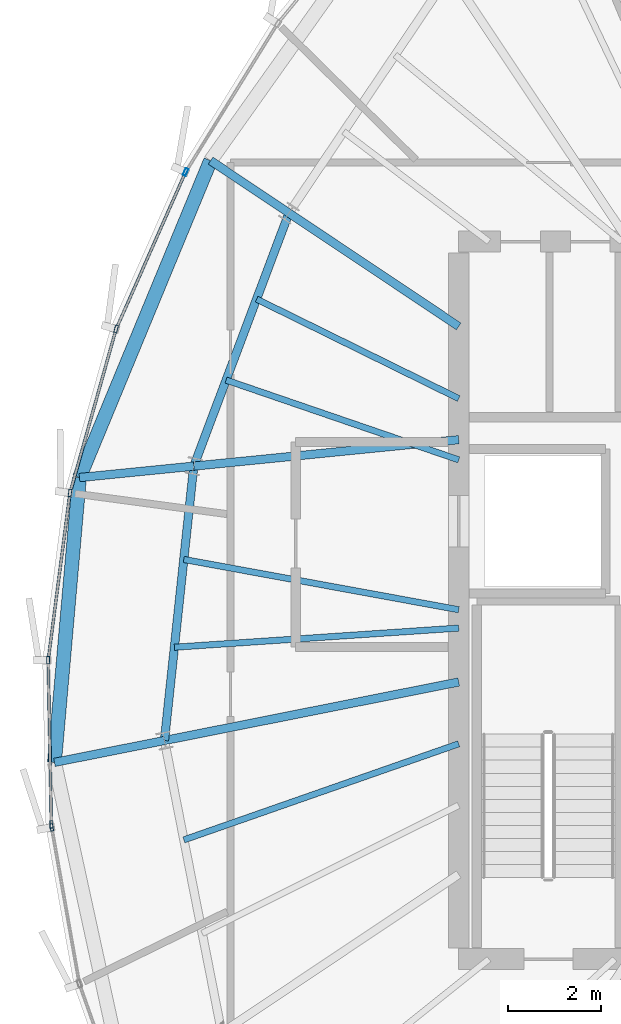
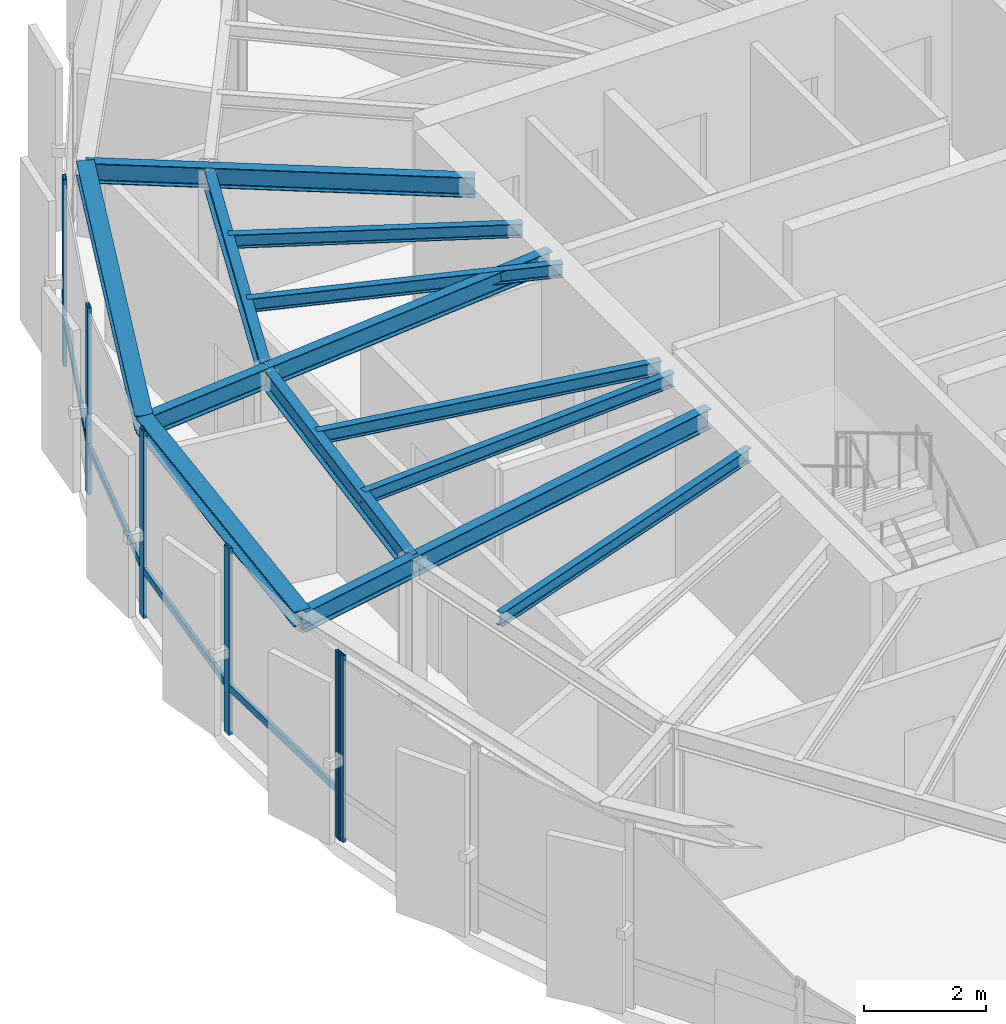
# One storey, part 10 of 26: 15 beams, 10 members, 2 elements without a shape of their own.
"""IFC4 building model written with IfcOpenShell, lengths in metres."""

from ifc_helpers import new_model, si_unit, direction, frame, origin, origin_2d, place, context, subcontext, project, spatial, hollow_rectangle, i_section, extrude, source, transform, mapped, material, layer, layer_set, material_profile, profile_set, type_object, element, aggregate, save


model = new_model("IFC4")

# Units and contexts
model_context = context("Model", 3, precision=1e-05, world=origin(), true_north=direction((0.0, 1.0)))
body_context = subcontext(model_context, "Body", "Model", "MODEL_VIEW")
ifc_project = project(units=[si_unit("LENGTHUNIT", "METRE"), si_unit("AREAUNIT", "SQUARE_METRE"), si_unit("VOLUMEUNIT", "CUBIC_METRE"), si_unit("PLANEANGLEUNIT", "RADIAN"), si_unit("MASSUNIT", "GRAM", prefix="KILO"), si_unit("THERMODYNAMICTEMPERATUREUNIT", "KELVIN")], contexts=[model_context])

# Site, building, storey
site_placement = place(None, origin())
site = spatial("IfcSite", under=ifc_project, at=site_placement, CompositionType="ELEMENT")
building_placement = place(site_placement, origin())
building = spatial("IfcBuilding", under=site, at=building_placement, Name="Kethvar Cultural Tower", CompositionType="ELEMENT")
storey_placement = place(building_placement, frame((0.0, 0.0, 316.300048828125)))
storey = spatial("IfcBuildingStorey", under=building, at=storey_placement, Name="L84", CompositionType="ELEMENT", Elevation=316.300048828125)

# Beams
ifc_material_1 = material(Name="Steel S355J2", Category="steel")
ifc_material_profile_1 = material_profile(ifc_material_1, i_section(OverallWidth=0.135009765625, OverallDepth=0.27001953125, WebThickness=0.006591796875, FlangeThickness=0.01025390625, FilletRadius=0.014892578125, at=origin_2d()), Name="Steel S355J2 — IPE270")
ifc_profile_set_1 = profile_set([ifc_material_profile_1], Name="Steel S355J2 — IPE270")
beam_type_1 = type_object("IfcBeamType", Name="BM-J270", PredefinedType="JOIST", material=ifc_profile_set_1)
shared_shape_1 = source(origin(), body_context, "Body", "SweptSolid", [
    extrude(i_section(OverallWidth=0.135009765625, OverallDepth=0.27001953125, WebThickness=0.006591796875, FlangeThickness=0.01025390625, FilletRadius=0.014892578125, at=origin_2d()), origin(), (0.0, 0.0, 1.0), 4.8359375),
])
beam_1_placement = place(storey_placement, frame((38.0, 32.1318359375, 3.597900390625), z_axis=(-0.897196527088, 0.441631511308, 0.0), x_axis=(-0.441631511308, -0.897196527088, 0.0)))
element("IfcBeam", 1, at=beam_1_placement, inside=storey, type_object=beam_type_1, Name="L84 Composite Floor Joist J-07A", PredefinedType="JOIST", context=body_context, shape_type="MappedRepresentation", body=[
    mapped(shared_shape_1, transform((0.0, 0.0, 0.0), scale=1.0)),
])
shared_shape_2 = source(origin(), body_context, "Body", "SweptSolid", [
    extrude(i_section(OverallWidth=0.135009765625, OverallDepth=0.27001953125, WebThickness=0.006591796875, FlangeThickness=0.01025390625, FilletRadius=0.014892578125, at=origin_2d()), origin(), (0.0, 0.0, 1.0), 5.2783203125),
])
beam_2_placement = place(storey_placement, frame((38.0, 30.817138671875, 3.597900390625), z_axis=(-0.945942702368, 0.324333784607, 0.0), x_axis=(-0.324333784607, -0.945942702368, 0.0)))
element("IfcBeam", 2, at=beam_2_placement, inside=storey, type_object=beam_type_1, Name="L84 Composite Floor Joist J-07B", PredefinedType="JOIST", context=body_context, shape_type="MappedRepresentation", body=[
    mapped(shared_shape_2, transform((0.0, 0.0, 0.0), scale=1.0)),
])
shared_shape_3 = source(origin(), body_context, "Body", "SweptSolid", [
    extrude(i_section(OverallWidth=0.135009765625, OverallDepth=0.27001953125, WebThickness=0.006591796875, FlangeThickness=0.01025390625, FilletRadius=0.014892578125, at=origin_2d()), origin(), (0.0, 0.0, 1.0), 5.99951171875),
])
beam_3_placement = place(storey_placement, frame((38.0, 27.60009765625, 3.597900390625), z_axis=(-0.983676616141, 0.179945310742, 0.0), x_axis=(-0.179945310742, -0.983676616141, 0.0)))
element("IfcBeam", 3, at=beam_3_placement, inside=storey, type_object=beam_type_1, Name="L84 Composite Floor Joist J-08A", PredefinedType="JOIST", context=body_context, shape_type="MappedRepresentation", body=[
    mapped(shared_shape_3, transform((0.0, 0.0, 0.0), scale=1.0)),
])
shared_shape_4 = source(origin(), body_context, "Body", "SweptSolid", [
    extrude(i_section(OverallWidth=0.135009765625, OverallDepth=0.27001953125, WebThickness=0.006591796875, FlangeThickness=0.01025390625, FilletRadius=0.014892578125, at=origin_2d()), origin(), (0.0, 0.0, 1.0), 6.116943359375),
])
beam_4_placement = place(storey_placement, frame((38.0, 27.206787109375, 3.597900390625), z_axis=(-0.997733289627, -0.067292516454, 0.0), x_axis=(0.067292516454, -0.997733289627, 0.0)))
element("IfcBeam", 4, at=beam_4_placement, inside=storey, type_object=beam_type_1, Name="L84 Composite Floor Joist J-08B", PredefinedType="JOIST", context=body_context, shape_type="MappedRepresentation", body=[
    mapped(shared_shape_4, transform((0.0, 0.0, 0.0), scale=1.0)),
])
shared_shape_5 = source(origin(), body_context, "Body", "SweptSolid", [
    extrude(i_section(OverallWidth=0.135009765625, OverallDepth=0.27001953125, WebThickness=0.006591796875, FlangeThickness=0.01025390625, FilletRadius=0.014892578125, at=origin_2d()), origin(), (0.0, 0.0, 1.0), 6.248779296875),
])
beam_5_placement = place(storey_placement, frame((38.0, 24.722900390625, 3.597900390625), z_axis=(-0.943960031743, -0.330059780148, 0.0), x_axis=(0.330059780148, -0.943960031743, 0.0)))
element("IfcBeam", 5, at=beam_5_placement, inside=storey, type_object=beam_type_1, Name="L84 Composite Floor Joist J-09A", PredefinedType="JOIST", context=body_context, shape_type="MappedRepresentation", body=[
    mapped(shared_shape_5, transform((0.0, 0.0, 0.0), scale=1.0)),
])
ifc_material_profile_2 = material_profile(ifc_material_1, i_section(OverallWidth=0.179931640625, OverallDepth=0.39990234375, WebThickness=0.008544921875, FlangeThickness=0.013427734375, FilletRadius=0.02099609375, at=origin_2d()), Name="Steel S355J2 — IPE400")
ifc_profile_set_2 = profile_set([ifc_material_profile_2], Name="Steel S355J2 — IPE400")
beam_type_2 = type_object("IfcBeamType", Name="BM-IPE400", PredefinedType="BEAM", material=ifc_profile_set_2)
shared_shape_6 = source(origin(), body_context, "Body", "SweptSolid", [
    extrude(i_section(OverallWidth=0.179931640625, OverallDepth=0.39990234375, WebThickness=0.008544921875, FlangeThickness=0.013427734375, FilletRadius=0.02099609375, at=origin_2d()), origin(), (0.0, 0.0, 1.0), 4.3828125),
])
beam_6_placement = place(storey_placement, frame((38.0, 33.679931640625, 3.532958984375), z_axis=(-0.831449909861, 0.555599718676, 0.0), x_axis=(-0.555599718676, -0.831449909861, 0.0)))
element("IfcBeam", 6, at=beam_6_placement, inside=storey, type_object=beam_type_2, Name="L84 Primary Radial Beam RB-07", PredefinedType="BEAM", context=body_context, shape_type="MappedRepresentation", body=[
    mapped(shared_shape_6, transform((0.0, 0.0, 0.0), scale=1.0)),
])
shared_shape_7 = source(origin(), body_context, "Body", "SweptSolid", [
    extrude(i_section(OverallWidth=0.179931640625, OverallDepth=0.39990234375, WebThickness=0.008544921875, FlangeThickness=0.013427734375, FilletRadius=0.02099609375, at=origin_2d()), origin(), (0.0, 0.0, 1.0), 5.7158203125),
])
beam_7_placement = place(storey_placement, frame((38.0, 31.25, 3.532958984375), z_axis=(-0.995048179628, -0.099393763478, 0.0), x_axis=(0.099393763478, -0.995048179628, 0.0)))
element("IfcBeam", 7, at=beam_7_placement, inside=storey, type_object=beam_type_2, Name="L84 Primary Radial Beam RB-08", PredefinedType="BEAM", context=body_context, shape_type="MappedRepresentation", body=[
    mapped(shared_shape_7, transform((0.0, 0.0, 0.0), scale=1.0)),
])
shared_shape_8 = source(origin(), body_context, "Body", "SweptSolid", [
    extrude(i_section(OverallWidth=0.179931640625, OverallDepth=0.39990234375, WebThickness=0.008544921875, FlangeThickness=0.013427734375, FilletRadius=0.02099609375, at=origin_2d()), origin(), (0.0, 0.0, 1.0), 6.440673828125),
])
beam_8_placement = place(storey_placement, frame((38.0, 26.049560546875, 3.532958984375), z_axis=(-0.980782804096, -0.195102770839, 0.0), x_axis=(0.195102770839, -0.980782804096, 0.0)))
element("IfcBeam", 8, at=beam_8_placement, inside=storey, type_object=beam_type_2, Name="L84 Primary Radial Beam RB-09", PredefinedType="BEAM", context=body_context, shape_type="MappedRepresentation", body=[
    mapped(shared_shape_8, transform((0.0, 0.0, 0.0), scale=1.0)),
])
shared_shape_9 = source(origin(), body_context, "Body", "SweptSolid", [
    extrude(i_section(OverallWidth=0.179931640625, OverallDepth=0.39990234375, WebThickness=0.008544921875, FlangeThickness=0.013427734375, FilletRadius=0.02099609375, at=origin_2d()), origin(), (0.0, 0.0, 1.0), 5.8046875),
])
beam_9_placement = place(storey_placement, frame((34.35595703125, 36.114990234375, 3.532958984375), z_axis=(-0.352035902861, -0.935986497283, 0.0), x_axis=(0.935986497283, -0.352035902861, 0.0)))
element("IfcBeam", 9, at=beam_9_placement, inside=storey, type_object=beam_type_2, Name="L84 Column Ring Tie Beam CR-07", PredefinedType="BEAM", context=body_context, shape_type="MappedRepresentation", body=[
    mapped(shared_shape_9, transform((0.0, 0.0, 0.0), scale=1.0)),
])
shared_shape_10 = source(origin(), body_context, "Body", "SweptSolid", [
    extrude(i_section(OverallWidth=0.179931640625, OverallDepth=0.39990234375, WebThickness=0.008544921875, FlangeThickness=0.013427734375, FilletRadius=0.02099609375, at=origin_2d()), origin(), (0.0, 0.0, 1.0), 5.92236328125),
])
beam_10_placement = place(storey_placement, frame((32.3125, 30.681884765625, 3.532958984375), z_axis=(-0.106272578913, -0.994337034899, 0.0), x_axis=(0.994337034899, -0.106272578913, 0.0)))
element("IfcBeam", 10, at=beam_10_placement, inside=storey, type_object=beam_type_2, Name="L84 Column Ring Tie Beam CR-08", PredefinedType="BEAM", context=body_context, shape_type="MappedRepresentation", body=[
    mapped(shared_shape_10, transform((0.0, 0.0, 0.0), scale=1.0)),
])
shared_shape_11 = source(origin(), body_context, "Body", "SweptSolid", [
    extrude(i_section(OverallWidth=0.179931640625, OverallDepth=0.39990234375, WebThickness=0.008544921875, FlangeThickness=0.013427734375, FilletRadius=0.02099609375, at=origin_2d()), origin(), (0.0, 0.0, 1.0), 2.024169921875),
])
beam_11_placement = place(storey_placement, frame((34.35595703125, 36.114990234375, 3.532958984375), z_axis=(-0.831493208551, 0.555534917114, 0.0), x_axis=(-0.555534917114, -0.831493208551, 0.0)))
element("IfcBeam", 11, at=beam_11_placement, inside=storey, type_object=beam_type_2, Name="L84 Perimeter Cantilever Beam RC-07", PredefinedType="BEAM", context=body_context, shape_type="MappedRepresentation", body=[
    mapped(shared_shape_11, transform((0.0, 0.0, 0.0), scale=1.0)),
])
shared_shape_12 = source(origin(), body_context, "Body", "SweptSolid", [
    extrude(i_section(OverallWidth=0.179931640625, OverallDepth=0.39990234375, WebThickness=0.008544921875, FlangeThickness=0.013427734375, FilletRadius=0.02099609375, at=origin_2d()), origin(), (0.0, 0.0, 1.0), 2.465576171875),
])
beam_12_placement = place(storey_placement, frame((32.3125, 30.681884765625, 3.532958984375), z_axis=(-0.995046009809, -0.099415483516, 0.0), x_axis=(0.099415483516, -0.995046009809, 0.0)))
element("IfcBeam", 12, at=beam_12_placement, inside=storey, type_object=beam_type_2, Name="L84 Perimeter Cantilever Beam RC-08", PredefinedType="BEAM", context=body_context, shape_type="MappedRepresentation", body=[
    mapped(shared_shape_12, transform((0.0, 0.0, 0.0), scale=1.0)),
])
shared_shape_13 = source(origin(), body_context, "Body", "SweptSolid", [
    extrude(i_section(OverallWidth=0.179931640625, OverallDepth=0.39990234375, WebThickness=0.008544921875, FlangeThickness=0.013427734375, FilletRadius=0.02099609375, at=origin_2d()), origin(), (0.0, 0.0, 1.0), 2.40625),
])
beam_13_placement = place(storey_placement, frame((31.68310546875, 24.79296875, 3.532958984375), z_axis=(-0.980783064461, -0.19510146198, 0.0), x_axis=(0.19510146198, -0.980783064461, 0.0)))
element("IfcBeam", 13, at=beam_13_placement, inside=storey, type_object=beam_type_2, Name="L84 Perimeter Cantilever Beam RC-09", PredefinedType="BEAM", context=body_context, shape_type="MappedRepresentation", body=[
    mapped(shared_shape_13, transform((0.0, 0.0, 0.0), scale=1.0)),
])
ifc_material_profile_3 = material_profile(ifc_material_1, i_section(OverallWidth=0.300048828125, OverallDepth=0.300048828125, WebThickness=0.010986328125, FlangeThickness=0.01904296875, FilletRadius=0.027099609375, at=origin_2d()), Name="Steel S355J2 — HEB300")
ifc_profile_set_3 = profile_set([ifc_material_profile_3], Name="Steel S355J2 — HEB300")
beam_type_3 = type_object("IfcBeamType", Name="BM-SP300", PredefinedType="SPANDREL", material=ifc_profile_set_3)
shared_shape_14 = source(origin(), body_context, "Body", "SweptSolid", [
    extrude(i_section(OverallWidth=0.300048828125, OverallDepth=0.300048828125, WebThickness=0.010986328125, FlangeThickness=0.01904296875, FilletRadius=0.027099609375, at=origin_2d()), origin(), (0.0, 0.0, 1.0), 7.361572265625),
])
beam_14_placement = place(storey_placement, frame((32.6728515625, 37.239501953125, 3.5830078125), z_axis=(-0.382212163943, -0.924074597494, 0.0), x_axis=(0.924074597494, -0.382212163943, 0.0)))
element("IfcBeam", 14, at=beam_14_placement, inside=storey, type_object=beam_type_3, Name="L84 Perimeter Spandrel Beam SP-07", PredefinedType="SPANDREL", context=body_context, shape_type="MappedRepresentation", body=[
    mapped(shared_shape_14, transform((0.0, 0.0, 0.0), scale=1.0)),
])
shared_shape_15 = source(origin(), body_context, "Body", "SweptSolid", [
    extrude(i_section(OverallWidth=0.300048828125, OverallDepth=0.300048828125, WebThickness=0.010986328125, FlangeThickness=0.01904296875, FilletRadius=0.027099609375, at=origin_2d()), origin(), (0.0, 0.0, 1.0), 6.13671875),
])
beam_15_placement = place(storey_placement, frame((29.859130859375, 30.436767578125, 3.5830078125), z_axis=(-0.0873643542, -0.996176424944, 0.0), x_axis=(0.996176424944, -0.0873643542, 0.0)))
element("IfcBeam", 15, at=beam_15_placement, inside=storey, type_object=beam_type_3, Name="L84 Perimeter Spandrel Beam SP-08", PredefinedType="SPANDREL", context=body_context, shape_type="MappedRepresentation", body=[
    mapped(shared_shape_15, transform((0.0, 0.0, 0.0), scale=1.0)),
])

# Curtain wall, members
ifc_material_2 = material(Name="Aluminium 6063-T6", Category="aluminium")
ifc_layer = layer(ifc_material_2, 0.179931640625, Name="Aluminium 6063-T6", Category="aluminium")
ifc_layer_set = layer_set([ifc_layer], Name="Aluminium 6063-T6 (180 mm)")
curtain_wall_type = type_object("IfcCurtainWallType", Name="CW-SYS-06-CROWN", PredefinedType="NOTDEFINED", material=ifc_layer_set)
curtain_wall_1_placement = place(storey_placement, origin())
curtain_wall_1 = element("IfcCurtainWall", 16, at=curtain_wall_1_placement, inside=storey, type_object=curtain_wall_type, Name="L84 Curtain Wall Run 02", PredefinedType="NOTDEFINED")
ifc_material_profile_4 = material_profile(ifc_material_2, hollow_rectangle(XDim=0.06494140625, YDim=0.159912109375, WallThickness=0.0048828125, at=origin_2d()), Name="Aluminium 6063-T6 — RHS160x65x5")
ifc_profile_set_4 = profile_set([ifc_material_profile_4], Name="Aluminium 6063-T6 — RHS160x65x5")
member_type_1 = type_object("IfcMemberType", Name="CW-SYS-06-CROWN-MUL", PredefinedType="MULLION", material=ifc_profile_set_4)
shared_shape_16 = source(origin(), body_context, "Body", "SweptSolid", [
    extrude(hollow_rectangle(XDim=0.06494140625, YDim=0.159912109375, WallThickness=0.0048828125, at=origin_2d()), origin(), (0.0, 0.0, 1.0), 3.73486328125),
])
member_1_placement = place(storey_placement, frame((32.13818359375, 36.99462890625, 0.0), z_axis=(0.0, 0.0, 1.0), x_axis=(0.91448008638, -0.404630907884, 0.0)))
member_1 = element("IfcMember", 17, at=member_1_placement, type_object=member_type_1, Name="CW-L84-R02 Mullion 3", PredefinedType="MULLION", context=body_context, shape_type="MappedRepresentation", body=[
    mapped(shared_shape_16, transform((0.0, 0.0, 0.0), scale=1.0)),
])
member_2_placement = place(storey_placement, frame((30.645751953125, 33.625, 0.0), z_axis=(0.0, 0.0, 1.0), x_axis=(0.962701191577, -0.27056684153, 0.0)))
member_2 = element("IfcMember", 18, at=member_2_placement, type_object=member_type_1, Name="CW-L84-R02 Mullion 4", PredefinedType="MULLION", context=body_context, shape_type="MappedRepresentation", body=[
    mapped(shared_shape_16, transform((0.0, 0.0, 0.0), scale=1.0)),
])
member_3_placement = place(storey_placement, frame((29.65576171875, 30.106689453125, 0.0), z_axis=(0.0, 0.0, 1.0), x_axis=(0.991646417128, -0.128985981398, 0.0)))
member_3 = element("IfcMember", 19, at=member_3_placement, type_object=member_type_1, Name="CW-L84-R02 Mullion 5", PredefinedType="MULLION", context=body_context, shape_type="MappedRepresentation", body=[
    mapped(shared_shape_16, transform((0.0, 0.0, 0.0), scale=1.0)),
])
member_4_placement = place(storey_placement, frame((29.187744140625, 26.5185546875, 0.0), z_axis=(0.0, 0.0, 1.0), x_axis=(0.999809291035, 0.019528992784, 0.0)))
member_4 = element("IfcMember", 20, at=member_4_placement, type_object=member_type_1, Name="CW-L84-R02 Mullion 6", PredefinedType="MULLION", context=body_context, shape_type="MappedRepresentation", body=[
    mapped(shared_shape_16, transform((0.0, 0.0, 0.0), scale=1.0)),
])
member_5_placement = place(storey_placement, frame((29.256591796875, 22.993896484375, 0.0), z_axis=(0.0, 0.0, 1.0), x_axis=(0.999809291035, 0.019528992784, 0.0)))
member_5 = element("IfcMember", 21, at=member_5_placement, type_object=member_type_1, Name="CW-L84-R02 Mullion 7", PredefinedType="MULLION", context=body_context, shape_type="MappedRepresentation", body=[
    mapped(shared_shape_16, transform((0.0, 0.0, 0.0), scale=1.0)),
])

# Curtain wall, member
curtain_wall_2_placement = place(storey_placement, origin())
curtain_wall_2 = element("IfcCurtainWall", 22, at=curtain_wall_2_placement, inside=storey, type_object=curtain_wall_type, Name="L84 Curtain Wall Run 03", PredefinedType="NOTDEFINED")
member_6_placement = place(storey_placement, frame((29.262939453125, 22.9287109375, 0.0), z_axis=(0.0, 0.0, 1.0), x_axis=(0.984637561639, 0.174610630289, 0.0)))
member_6 = element("IfcMember", 23, at=member_6_placement, type_object=member_type_1, Name="CW-L84-R03 Mullion 1", PredefinedType="MULLION", context=body_context, shape_type="MappedRepresentation", body=[
    mapped(shared_shape_16, transform((0.0, 0.0, 0.0), scale=1.0)),
])
aggregate(curtain_wall_2, [member_6])

# Member
ifc_material_profile_5 = material_profile(ifc_material_2, hollow_rectangle(XDim=0.06005859375, YDim=0.139892578125, WallThickness=0.0048828125, at=origin_2d()), Name="Aluminium 6063-T6 — RHS140x60x5")
ifc_profile_set_5 = profile_set([ifc_material_profile_5], Name="Aluminium 6063-T6 — RHS140x60x5")
member_type_2 = type_object("IfcMemberType", Name="CW-SYS-06-CROWN-TRN", PredefinedType="USERDEFINED", material=ifc_profile_set_5)
shared_shape_17 = source(origin(), body_context, "Body", "SweptSolid", [
    extrude(hollow_rectangle(XDim=0.06005859375, YDim=0.139892578125, WallThickness=0.0048828125, at=origin_2d()), origin(), (0.0, 0.0, 1.0), 3.60888671875),
])
member_7_placement = place(storey_placement, frame((32.119140625, 36.951904296875, 0.949951171875), z_axis=(-0.404612644472, -0.914488167192, 0.0), x_axis=(0.914488167192, -0.404612644472, 0.0)))
member_7 = element("IfcMember", 24, at=member_7_placement, type_object=member_type_2, Name="CW-L84-R02 Transom 3", ObjectType="TRANSOM", PredefinedType="USERDEFINED", context=body_context, shape_type="MappedRepresentation", body=[
    mapped(shared_shape_17, transform((0.0, 0.0, 0.0), scale=1.0)),
])

shared_shape_18 = source(origin(), body_context, "Body", "SweptSolid", [
    extrude(hollow_rectangle(XDim=0.06005859375, YDim=0.139892578125, WallThickness=0.0048828125, at=origin_2d()), origin(), (0.0, 0.0, 1.0), 3.578857421875),
])
member_8_placement = place(storey_placement, frame((30.63330078125, 33.580078125, 0.949951171875), z_axis=(-0.270619140552, -0.962686491422, 0.0), x_axis=(0.962686491422, -0.270619140552, 0.0)))
member_8 = element("IfcMember", 25, at=member_8_placement, type_object=member_type_2, Name="CW-L84-R02 Transom 4", ObjectType="TRANSOM", PredefinedType="USERDEFINED", context=body_context, shape_type="MappedRepresentation", body=[
    mapped(shared_shape_18, transform((0.0, 0.0, 0.0), scale=1.0)),
])

shared_shape_19 = source(origin(), body_context, "Body", "SweptSolid", [
    extrude(hollow_rectangle(XDim=0.06005859375, YDim=0.139892578125, WallThickness=0.0048828125, at=origin_2d()), origin(), (0.0, 0.0, 1.0), 3.542724609375),
])
member_9_placement = place(storey_placement, frame((29.649658203125, 30.060302734375, 0.949951171875), z_axis=(-0.129003326553, -0.991644160845, 0.0), x_axis=(0.991644160845, -0.129003326553, 0.0)))
member_9 = element("IfcMember", 26, at=member_9_placement, type_object=member_type_2, Name="CW-L84-R02 Transom 5", ObjectType="TRANSOM", PredefinedType="USERDEFINED", context=body_context, shape_type="MappedRepresentation", body=[
    mapped(shared_shape_19, transform((0.0, 0.0, 0.0), scale=1.0)),
])

shared_shape_20 = source(origin(), body_context, "Body", "SweptSolid", [
    extrude(hollow_rectangle(XDim=0.06005859375, YDim=0.139892578125, WallThickness=0.0048828125, at=origin_2d()), origin(), (0.0, 0.0, 1.0), 3.47412109375),
])
member_10_placement = place(storey_placement, frame((29.188720703125, 26.471923828125, 0.949951171875), z_axis=(0.019536581268, -0.999809142783, 0.0), x_axis=(0.999809142783, 0.019536581268, 0.0)))
member_10 = element("IfcMember", 27, at=member_10_placement, type_object=member_type_2, Name="CW-L84-R02 Transom 6", ObjectType="TRANSOM", PredefinedType="USERDEFINED", context=body_context, shape_type="MappedRepresentation", body=[
    mapped(shared_shape_20, transform((0.0, 0.0, 0.0), scale=1.0)),
])

aggregate(curtain_wall_1, [member_1, member_2, member_3, member_4, member_5, member_7, member_8, member_9, member_10])

save(model, "model.ifc")
